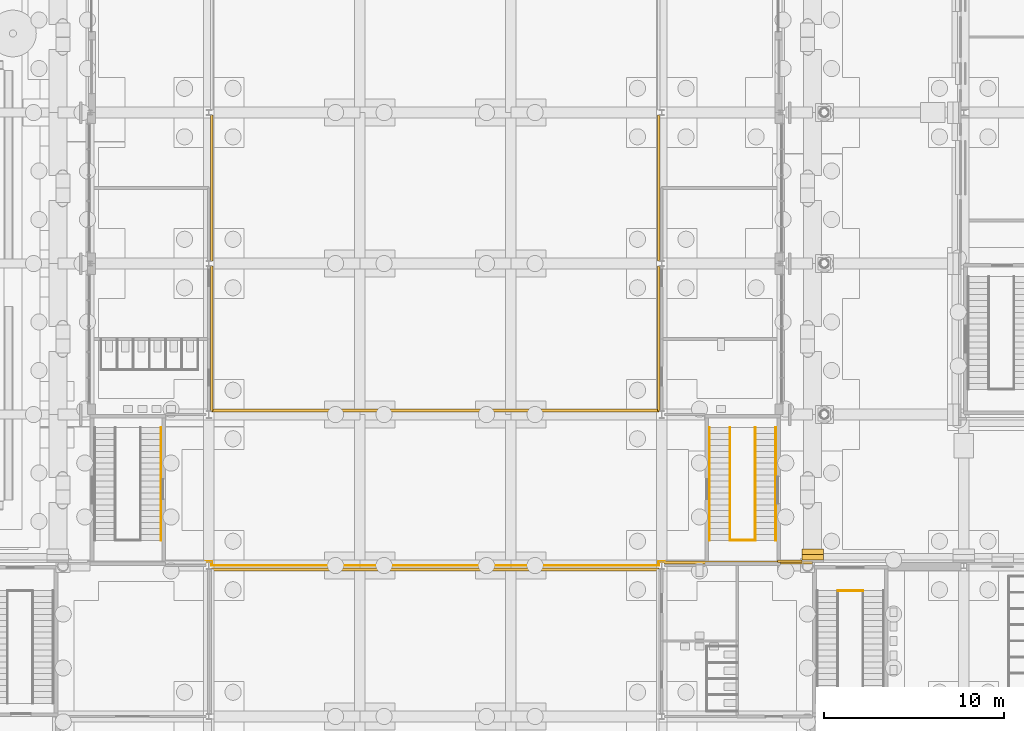
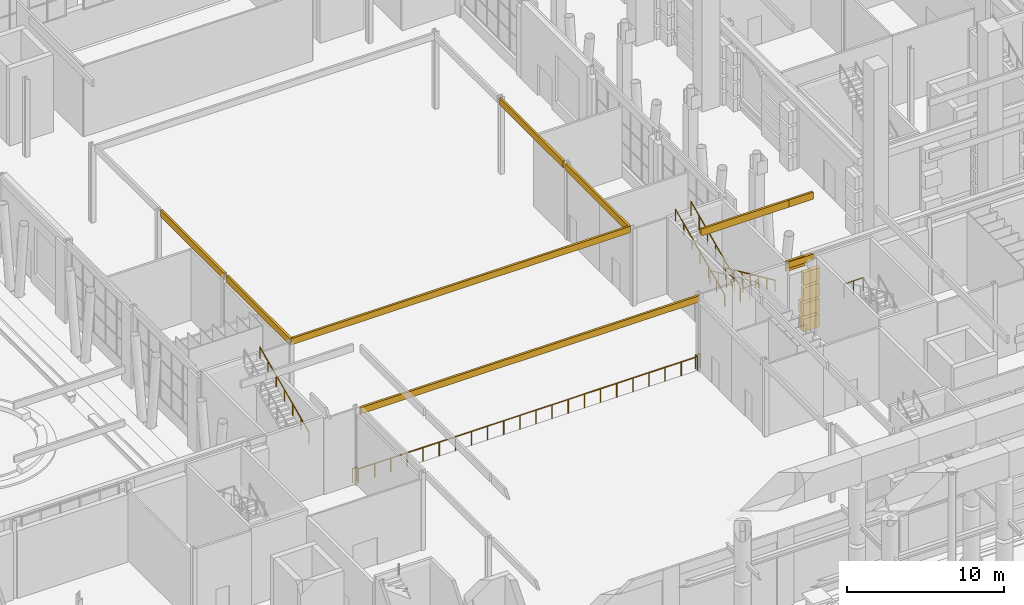
# One storey, part 145 of 222: 16 coverings, 8 railings.
"""IFC4 building model written with IfcOpenShell, lengths in metres."""

import ifcopenshell
import ifcopenshell.guid

model = None  # the IFC model being written
_history = None  # IfcOwnerHistory: only IFC2X3 demands one
_inside = {}  # id of a spatial element -> (the spatial element, [elements in it])
_under = {}  # id of a project, library or spatial element -> (it, [spatial elements below it])
_declared = {}  # id of a project -> (the project, [libraries it declares])
_typed = {}  # id of a type object -> (the type object, [elements of that type])
_made_of = {}  # id of a material, layer set ... -> (it, [elements and type objects made of it])


def new_model(schema):
    """Start an empty IFC model of exactly this schema.

    Asked for "IFC4X3", IfcOpenShell would pick the latest addendum, in which some entities
    have other attributes; the version numbers below select the first issue.
    IFC2X3 requires an IfcOwnerHistory on every rooted entity: one is made here for all.
    """
    global model, _history
    if schema == "IFC4X3":
        model = ifcopenshell.file(schema_version=(4, 3, 0, 0))
    else:
        model = ifcopenshell.file(schema=schema)
    _inside.clear()
    _under.clear()
    _declared.clear()
    _typed.clear()
    _made_of.clear()
    _history = None
    if model.schema == "IFC2X3":
        org = make("IfcOrganization", Name="unknown")
        user = make(
            "IfcPersonAndOrganization",
            ThePerson=make("IfcPerson", FamilyName="unknown"),
            TheOrganization=org,
        )
        app = make(
            "IfcApplication",
            ApplicationDeveloper=org,
            Version="unknown",
            ApplicationFullName="unknown",
            ApplicationIdentifier="unknown",
        )
        _history = make(
            "IfcOwnerHistory",
            OwningUser=user,
            OwningApplication=app,
            ChangeAction="ADDED",
            CreationDate=0,
        )
    return model


def make(cls, **values):
    """One entity of the class cls with the attributes given. An attribute that is None is left unset."""
    return model.create_entity(
        cls, **{name: value for name, value in values.items() if value is not None}
    )


def rooted(cls, **values):
    """An entity with a GlobalId (a new one), such as an element, a storey or a relation."""
    return make(cls, GlobalId=ifcopenshell.guid.new(), OwnerHistory=_history, **values)


def si_unit(unit_type, name, prefix=None):
    """IfcSIUnit, for example si_unit("LENGTHUNIT", "METRE", prefix="MILLI")."""
    return make("IfcSIUnit", UnitType=unit_type, Prefix=prefix, Name=name)


def assignment(units):
    """IfcUnitAssignment: the units of a project."""
    return None if units is None else make("IfcUnitAssignment", Units=units)


def point(xyz):
    """IfcCartesianPoint."""
    return None if xyz is None else make("IfcCartesianPoint", Coordinates=xyz)


def direction(xyz):
    """IfcDirection."""
    return None if xyz is None else make("IfcDirection", DirectionRatios=xyz)


def frame(location, z_axis=None, x_axis=None):
    """IfcAxis2Placement3D, a coordinate frame: its origin and axes. An axis left out is left unset."""
    return make(
        "IfcAxis2Placement3D",
        Location=point(location),
        Axis=direction(z_axis),
        RefDirection=direction(x_axis),
    )


def frame_2d(location, x_axis=None):
    """IfcAxis2Placement2D, a coordinate frame in the plane: its origin and x axis."""
    return make(
        "IfcAxis2Placement2D", Location=point(location), RefDirection=direction(x_axis)
    )


def origin():
    """The frame at (0, 0, 0) with its axes left unset."""
    return frame((0.0, 0.0, 0.0))


def origin_2d():
    """The frame at (0, 0) in the plane with its x axis left unset."""
    return frame_2d((0.0, 0.0))


def place(relative_to, where):
    """IfcLocalPlacement: puts the frame where relative to a parent placement (None: the world)."""
    return make(
        "IfcLocalPlacement", PlacementRelTo=relative_to, RelativePlacement=where
    )


def context(
    kind, dimensions, precision=None, world=None, true_north=None, identifier=None
):
    """IfcGeometricRepresentationContext, for example the 3D "Model" context."""
    return make(
        "IfcGeometricRepresentationContext",
        ContextIdentifier=identifier,
        ContextType=kind,
        CoordinateSpaceDimension=dimensions,
        Precision=precision,
        WorldCoordinateSystem=world,
        TrueNorth=true_north,
    )


def subcontext(parent, identifier, kind, view, scale=None):
    """IfcGeometricRepresentationSubContext, for example "Body" below "Model"."""
    return make(
        "IfcGeometricRepresentationSubContext",
        ContextIdentifier=identifier,
        ContextType=kind,
        ParentContext=parent,
        TargetScale=scale,
        TargetView=view,
    )


def project(units=None, contexts=None):
    """IfcProject with its units and contexts."""
    return rooted(
        "IfcProject",
        Name="project",
        RepresentationContexts=contexts,
        UnitsInContext=assignment(units),
    )


def spatial(cls, under=None, at=None, **own):
    """A site, building, storey or space (cls), placed at a placement, below another one or the project."""
    s = rooted(cls, ObjectPlacement=at, **own)
    if under is not None:
        _under.setdefault(under.id(), (under, []))[1].append(s)
    return s


def polyline(points):
    """IfcPolyline through the points."""
    return make("IfcPolyline", Points=[point(p) for p in points])


def profile(cls, at=None, kind="AREA", **sizes):
    """A parametric profile (cls). Its sizes go by their IFC names, for example OverallWidth=200.0."""
    return make(cls, ProfileType=kind, Position=at, **sizes)


def rectangle(**sizes):
    """IfcRectangleProfileDef."""
    return profile("IfcRectangleProfileDef", **sizes)


def circle(**sizes):
    """IfcCircleProfileDef."""
    return profile("IfcCircleProfileDef", **sizes)


def outline(outer, holes=None, kind="AREA"):
    """IfcArbitraryClosedProfileDef: a profile drawn as a closed curve; with holes, ...WithVoids."""
    if holes is None:
        return make("IfcArbitraryClosedProfileDef", ProfileType=kind, OuterCurve=outer)
    return make(
        "IfcArbitraryProfileDefWithVoids",
        ProfileType=kind,
        OuterCurve=outer,
        InnerCurves=holes,
    )


def extrude(swept, where, along, depth):
    """IfcExtrudedAreaSolid: the profile swept, set in the frame where, extruded along a direction by depth."""
    return make(
        "IfcExtrudedAreaSolid",
        SweptArea=swept,
        Position=where,
        ExtrudedDirection=direction(along),
        Depth=depth,
    )


def shape(context_of_items, identifier, shape_type, items):
    """IfcShapeRepresentation: the items that make up one representation, for example the "Body"."""
    return make(
        "IfcShapeRepresentation",
        ContextOfItems=context_of_items,
        RepresentationIdentifier=identifier,
        RepresentationType=shape_type,
        Items=items,
    )


def material(Name=None, Category=None):
    """IfcMaterial."""
    return make("IfcMaterial", Name=Name, Category=Category)


def layer(
    of_material, thickness, ventilated=None, Name=None, Category=None, Priority=None
):
    """IfcMaterialLayer: one layer of a wall or slab, of a material (None: an air gap)."""
    return make(
        "IfcMaterialLayer",
        Material=of_material,
        LayerThickness=thickness,
        IsVentilated=ventilated,
        Name=Name,
        Category=Category,
        Priority=Priority,
    )


def layer_set(layers, Name=None):
    """IfcMaterialLayerSet."""
    return make("IfcMaterialLayerSet", MaterialLayers=layers, LayerSetName=Name)


def made_of(thing, what):
    """Note that an element or type object is made of a material, layer set ...; save() writes the relation."""
    if what is not None:
        _made_of.setdefault(what.id(), (what, []))[1].append(thing)
    return thing


def type_object(cls, material=None, **own):
    """A type object (cls), such as IfcWallType, which elements share."""
    return made_of(rooted(cls, **own), material)


def element(
    cls,
    number,
    at=None,
    inside=None,
    cuts=None,
    type_object=None,
    material=None,
    context=None,
    identifier="Body",
    shape_type=None,
    held_by="IfcProductDefinitionShape",
    body=None,
    shapes=None,
    **own,
):
    """One element of the class cls, such as IfcWall. Its Tag is "e" and its number.

    at: its placement. inside: the storey or other place that contains it. cuts: it is an
    opening in that element (IfcRelVoidsElement). A single representation is given by context,
    identifier, shape_type and body (its items); several are given by shapes. held_by: the class
    of the entity that holds the representations. save() writes the other relations.
    """
    e = rooted(cls, Tag="e%d" % number, ObjectPlacement=at, **own)
    if body is not None:
        shapes = [shape(context, identifier, shape_type, body)]
    if shapes is not None:
        e.Representation = make(held_by, Representations=shapes)
    if inside is not None:
        _inside.setdefault(inside.id(), (inside, []))[1].append(e)
    if cuts is not None:
        rooted(
            "IfcRelVoidsElement", RelatingBuildingElement=cuts, RelatedOpeningElement=e
        )
    if type_object is not None:
        _typed.setdefault(type_object.id(), (type_object, []))[1].append(e)
    return made_of(e, material)


def aggregate(whole, parts):
    """IfcRelAggregates: a whole, such as a stair, and the parts it consists of."""
    return rooted("IfcRelAggregates", RelatingObject=whole, RelatedObjects=parts)


def save(model, path):
    """Write the relations noted so far, then the file.

    IfcRelAggregates (storeys below a building ...), IfcRelContainedInSpatialStructure (elements
    in a storey), IfcRelDefinesByType, IfcRelAssociatesMaterial and IfcRelDeclares: one each for
    every whole, place, type object, material and project.
    """
    for whole, parts in _under.values():
        aggregate(whole, parts)
    for where, things in _inside.values():
        rooted(
            "IfcRelContainedInSpatialStructure",
            RelatedElements=things,
            RelatingStructure=where,
        )
    for kind, things in _typed.values():
        rooted("IfcRelDefinesByType", RelatedObjects=things, RelatingType=kind)
    for what, things in _made_of.values():
        rooted("IfcRelAssociatesMaterial", RelatedObjects=things, RelatingMaterial=what)
    for by, libraries in _declared.values():
        rooted("IfcRelDeclares", RelatingContext=by, RelatedDefinitions=libraries)
    model.write(path)


model = new_model("IFC4")

# Units and contexts
model_context = context("Model", 3, precision=1e-05, world=origin(), true_north=direction((0.0, 1.0)))
body_context = subcontext(model_context, "Body", "Model", "MODEL_VIEW")
ifc_project = project(units=[si_unit("LENGTHUNIT", "METRE"), si_unit("AREAUNIT", "SQUARE_METRE"), si_unit("VOLUMEUNIT", "CUBIC_METRE"), si_unit("PLANEANGLEUNIT", "RADIAN"), si_unit("MASSUNIT", "GRAM", prefix="KILO")], contexts=[model_context])

# Site, building, storey
site_placement = place(None, origin())
site = spatial("IfcSite", under=ifc_project, at=site_placement, CompositionType="ELEMENT")
building_placement = place(site_placement, origin())
building = spatial("IfcBuilding", under=site, at=building_placement, Name="Sava Quay Ferry Terminal", CompositionType="ELEMENT")
storey_placement = place(building_placement, origin())
storey = spatial("IfcBuildingStorey", under=building, at=storey_placement, Name="L00", CompositionType="ELEMENT", Elevation=0.0)

# Railings
ifc_material_1 = material(Name="Steel S355", Category="steel")
railing_type_1 = type_object("IfcRailingType", Name="Guard 1100", PredefinedType="GUARDRAIL", material=ifc_material_1)
railing_1_placement = place(storey_placement, frame((80.800048828125, 58.070068359375, 0.14990234375)))
element("IfcRailing", 1, at=railing_1_placement, inside=storey, type_object=railing_type_1, Name="Guard at stair well ST-D2 L00", PredefinedType="GUARDRAIL", context=body_context, shape_type="SweptSolid", body=[
    extrude(circle(Radius=0.02392578125, at=origin_2d()), frame((0.0, 0.0, 1.076171875), z_axis=(0.0, -0.910361621584, 0.413813627068), x_axis=(1.0, 0.0, 0.0)), (0.0, 0.0, 1.0), 6.887451171875),
    extrude(circle(Radius=0.02099609375, at=origin_2d()), origin(), (0.0, 0.0, 1.0), 1.052001953125),
    extrude(circle(Radius=0.02099609375, at=origin_2d()), frame((0.0, -1.044921875, 0.47509765625)), (0.0, 0.0, 1.0), 1.052001953125),
    extrude(circle(Radius=0.02099609375, at=origin_2d()), frame((0.0, -2.090087890625, 0.949951171875)), (0.0, 0.0, 1.0), 1.052001953125),
    extrude(circle(Radius=0.02099609375, at=origin_2d()), frame((0.0, -3.135009765625, 1.425048828125)), (0.0, 0.0, 1.0), 1.052001953125),
    extrude(circle(Radius=0.02099609375, at=origin_2d()), frame((0.0, -4.179931640625, 1.900146484375)), (0.0, 0.0, 1.0), 1.052001953125),
    extrude(circle(Radius=0.02099609375, at=origin_2d()), frame((0.0, -5.22509765625, 2.375)), (0.0, 0.0, 1.0), 1.052001953125),
    extrude(circle(Radius=0.02099609375, at=origin_2d()), frame((0.0, -6.27001953125, 2.85009765625)), (0.0, 0.0, 1.0), 1.052001953125),
])
railing_2_placement = place(storey_placement, frame((79.39990234375, 51.800048828125, 3.14990234375)))
element("IfcRailing", 2, at=railing_2_placement, inside=storey, type_object=railing_type_1, Name="Guard at stair well ST-D2 L00", PredefinedType="GUARDRAIL", context=body_context, shape_type="SweptSolid", body=[
    extrude(circle(Radius=0.02392578125, at=origin_2d()), frame((0.0, 0.0, 1.076171875), z_axis=(0.0, 0.910361621584, 0.413813627068), x_axis=(-1.0, 0.0, 0.0)), (0.0, 0.0, 1.0), 6.887451171875),
    extrude(circle(Radius=0.02099609375, at=origin_2d()), origin(), (0.0, 0.0, 1.0), 1.052001953125),
    extrude(circle(Radius=0.02099609375, at=origin_2d()), frame((0.0, 1.044921875, 0.47509765625)), (0.0, 0.0, 1.0), 1.052001953125),
    extrude(circle(Radius=0.02099609375, at=origin_2d()), frame((0.0, 2.090087890625, 0.949951171875)), (0.0, 0.0, 1.0), 1.052001953125),
    extrude(circle(Radius=0.02099609375, at=origin_2d()), frame((0.0, 3.135009765625, 1.425048828125)), (0.0, 0.0, 1.0), 1.052001953125),
    extrude(circle(Radius=0.02099609375, at=origin_2d()), frame((0.0, 4.179931640625, 1.900146484375)), (0.0, 0.0, 1.0), 1.052001953125),
    extrude(circle(Radius=0.02099609375, at=origin_2d()), frame((0.0, 5.22509765625, 2.375)), (0.0, 0.0, 1.0), 1.052001953125),
    extrude(circle(Radius=0.02099609375, at=origin_2d()), frame((0.0, 6.27001953125, 2.85009765625)), (0.0, 0.0, 1.0), 1.052001953125),
])
for number, where, name in (
    (3, (79.39990234375, 51.800048828125, 3.0), "Guard at half landing ST-D2 L00"),
    (4, (85.39990234375, 49.0, 3.0), "Guard at half landing ST-P1 L00"),
):
    element("IfcRailing", number, at=place(storey_placement, frame(where)), inside=storey, type_object=railing_type_1, Name=name, PredefinedType="GUARDRAIL", context=body_context, shape_type="SweptSolid", body=[
        extrude(circle(Radius=0.02392578125, at=origin_2d()), frame((0.0, 0.0, 1.076171875), z_axis=(1.0, 0.0, 0.0), x_axis=(0.0, 1.0, 0.0)), (0.0, 0.0, 1.0), 1.400146484375),
        extrude(circle(Radius=0.02099609375, at=origin_2d()), origin(), (0.0, 0.0, 1.0), 1.052001953125),
        extrude(circle(Radius=0.02099609375, at=origin_2d()), frame((0.7001953125, 0.0, 0.0)), (0.0, 0.0, 1.0), 1.052001953125),
        extrude(circle(Radius=0.02099609375, at=origin_2d()), frame((1.400146484375, 0.0, 0.0)), (0.0, 0.0, 1.0), 1.052001953125),
    ])
railing_3_placement = place(storey_placement, frame((75.760009765625, 50.610107421875, 0.0)))
element("IfcRailing", 5, at=railing_3_placement, inside=storey, type_object=railing_type_1, Name="Mezzanine guard", PredefinedType="GUARDRAIL", context=body_context, shape_type="SweptSolid", body=[
    extrude(circle(Radius=0.02392578125, at=origin_2d()), frame((0.0, 0.0, 1.076171875), z_axis=(-1.0, 0.0, 0.0), x_axis=(0.0, -1.0, 0.0)), (0.0, 0.0, 1.0), 0.320068359375),
    extrude(circle(Radius=0.02392578125, at=origin_2d()), frame((-0.320068359375, 0.0, 1.076171875), z_axis=(0.0, -1.0, 0.0), x_axis=(1.0, 0.0, 0.0)), (0.0, 0.0, 1.0), 0.210205078125),
    extrude(circle(Radius=0.02392578125, at=origin_2d()), frame((-0.320068359375, -0.210205078125, 1.076171875), z_axis=(-1.0, 0.0, 0.0), x_axis=(0.0, -1.0, 0.0)), (0.0, 0.0, 1.0), 24.8798828125),
    extrude(circle(Radius=0.02392578125, at=origin_2d()), frame((-25.199951171875, -0.210205078125, 1.076171875), z_axis=(0.0, 1.0, 0.0), x_axis=(-1.0, 0.0, 0.0)), (0.0, 0.0, 1.0), 0.210205078125),
    extrude(circle(Radius=0.02392578125, at=origin_2d()), frame((-25.199951171875, 0.0, 1.076171875), z_axis=(-1.0, 0.0, 0.0), x_axis=(0.0, -1.0, 0.0)), (0.0, 0.0, 1.0), 0.320068359375),
    extrude(circle(Radius=0.02099609375, at=origin_2d()), origin(), (0.0, 0.0, 1.0), 1.052001953125),
    extrude(circle(Radius=0.02099609375, at=origin_2d()), frame((-0.320068359375, 0.0, 0.0)), (0.0, 0.0, 1.0), 1.052001953125),
    extrude(circle(Radius=0.02099609375, at=origin_2d()), frame((-0.320068359375, -0.210205078125, 0.0)), (0.0, 0.0, 1.0), 1.052001953125),
    extrude(circle(Radius=0.02099609375, at=origin_2d()), frame((-1.5048828125, -0.210205078125, 0.0)), (0.0, 0.0, 1.0), 1.052001953125),
    extrude(circle(Radius=0.02099609375, at=origin_2d()), frame((-2.689697265625, -0.210205078125, 0.0)), (0.0, 0.0, 1.0), 1.052001953125),
    extrude(circle(Radius=0.02099609375, at=origin_2d()), frame((-3.874267578125, -0.210205078125, 0.0)), (0.0, 0.0, 1.0), 1.052001953125),
    extrude(circle(Radius=0.02099609375, at=origin_2d()), frame((-5.05908203125, -0.210205078125, 0.0)), (0.0, 0.0, 1.0), 1.052001953125),
    extrude(circle(Radius=0.02099609375, at=origin_2d()), frame((-6.243896484375, -0.210205078125, 0.0)), (0.0, 0.0, 1.0), 1.052001953125),
    extrude(circle(Radius=0.02099609375, at=origin_2d()), frame((-7.4287109375, -0.210205078125, 0.0)), (0.0, 0.0, 1.0), 1.052001953125),
    extrude(circle(Radius=0.02099609375, at=origin_2d()), frame((-8.61328125, -0.210205078125, 0.0)), (0.0, 0.0, 1.0), 1.052001953125),
    extrude(circle(Radius=0.02099609375, at=origin_2d()), frame((-9.798095703125, -0.210205078125, 0.0)), (0.0, 0.0, 1.0), 1.052001953125),
    extrude(circle(Radius=0.02099609375, at=origin_2d()), frame((-10.98291015625, -0.210205078125, 0.0)), (0.0, 0.0, 1.0), 1.052001953125),
    extrude(circle(Radius=0.02099609375, at=origin_2d()), frame((-12.167724609375, -0.210205078125, 0.0)), (0.0, 0.0, 1.0), 1.052001953125),
    extrude(circle(Radius=0.02099609375, at=origin_2d()), frame((-13.352294921875, -0.210205078125, 0.0)), (0.0, 0.0, 1.0), 1.052001953125),
    extrude(circle(Radius=0.02099609375, at=origin_2d()), frame((-14.537109375, -0.210205078125, 0.0)), (0.0, 0.0, 1.0), 1.052001953125),
    extrude(circle(Radius=0.02099609375, at=origin_2d()), frame((-15.721923828125, -0.210205078125, 0.0)), (0.0, 0.0, 1.0), 1.052001953125),
    extrude(circle(Radius=0.02099609375, at=origin_2d()), frame((-16.90673828125, -0.210205078125, 0.0)), (0.0, 0.0, 1.0), 1.052001953125),
    extrude(circle(Radius=0.02099609375, at=origin_2d()), frame((-18.09130859375, -0.210205078125, 0.0)), (0.0, 0.0, 1.0), 1.052001953125),
    extrude(circle(Radius=0.02099609375, at=origin_2d()), frame((-19.276123046875, -0.210205078125, 0.0)), (0.0, 0.0, 1.0), 1.052001953125),
    extrude(circle(Radius=0.02099609375, at=origin_2d()), frame((-20.4609375, -0.210205078125, 0.0)), (0.0, 0.0, 1.0), 1.052001953125),
    extrude(circle(Radius=0.02099609375, at=origin_2d()), frame((-21.645751953125, -0.210205078125, 0.0)), (0.0, 0.0, 1.0), 1.052001953125),
    extrude(circle(Radius=0.02099609375, at=origin_2d()), frame((-22.830322265625, -0.210205078125, 0.0)), (0.0, 0.0, 1.0), 1.052001953125),
    extrude(circle(Radius=0.02099609375, at=origin_2d()), frame((-24.01513671875, -0.210205078125, 0.0)), (0.0, 0.0, 1.0), 1.052001953125),
    extrude(circle(Radius=0.02099609375, at=origin_2d()), frame((-25.199951171875, -0.210205078125, 0.0)), (0.0, 0.0, 1.0), 1.052001953125),
    extrude(circle(Radius=0.02099609375, at=origin_2d()), frame((-25.199951171875, 0.0, 0.0)), (0.0, 0.0, 1.0), 1.052001953125),
    extrude(circle(Radius=0.02099609375, at=origin_2d()), frame((-25.52001953125, 0.0, 0.0)), (0.0, 0.0, 1.0), 1.052001953125),
])

# Coverings
ifc_material_2 = material(Name="Limestone Mutalj", Category="masonry")
ifc_layer_1 = layer(ifc_material_2, 0.14990234375)
ifc_layer_set_1 = layer_set([ifc_layer_1], Name="Limestone Mutalj")
covering_type_1 = type_object("IfcCoveringType", Name="Limestone string course 150", PredefinedType="CLADDING", material=ifc_layer_set_1)
covering_1_placement = place(storey_placement, frame((0.0, 0.0, 5.25)))
element("IfcCovering", 6, at=covering_1_placement, inside=storey, type_object=covering_type_1, Name="String course P-N", PredefinedType="CLADDING", context=body_context, shape_type="SweptSolid", body=[
    extrude(outline(polyline([(82.050048828125, 50.56005859375), (83.39990234375, 50.56005859375), (83.39990234375, 50.7099609375), (82.050048828125, 50.7099609375), (82.050048828125, 50.56005859375)])), origin(), (0.0, 0.0, 1.0), 0.75),
])
ifc_material_3 = material(Name="Limestone Mutalj", Category="masonry")
ifc_layer_2 = layer(ifc_material_3, 0.300048828125)
ifc_layer_set_2 = layer_set([ifc_layer_2], Name="Limestone Mutalj")
covering_type_2 = type_object("IfcCoveringType", Name="Rusticated course deepening 300", PredefinedType="CLADDING", material=ifc_layer_set_2)
for number, where, z_axis, x_axis, name in (
    (7, (84.0, 51.159912109375, 0.0), (0.0, 0.0, 1.0), (1.0, 0.0, 0.0), "Rusticated course deepening"),
    (8, (84.0, 51.159912109375, 1.199951171875), (0.0, 0.0, 1.0), (1.0, 0.0, 0.0), "Rusticated course deepening"),
):
    element("IfcCovering", number, at=place(storey_placement, frame(where, z_axis=z_axis, x_axis=x_axis)), inside=storey, type_object=covering_type_2, Name=name, PredefinedType="CLADDING", context=body_context, shape_type="SweptSolid", body=[
        extrude(rectangle(XDim=1.199951171875, YDim=0.300048828125, at=origin_2d()), origin(), (0.0, 0.0, 1.0), 1.0),
    ])
ifc_material_4 = material(Name="Limestone Mutalj", Category="masonry")
ifc_layer_3 = layer(ifc_material_4, 0.300048828125)
ifc_layer_set_3 = layer_set([ifc_layer_3], Name="Limestone Mutalj")
covering_type_3 = type_object("IfcCoveringType", Name="Rusticated pier course 300", PredefinedType="CLADDING", material=ifc_layer_set_3)
for number, where, z_axis, x_axis, name in (
    (9, (84.0, 50.860107421875, 0.0), (0.0, 0.0, 1.0), (1.0, 0.0, 0.0), "Rusticated pier course"),
    (10, (84.0, 50.860107421875, 1.199951171875), (0.0, 0.0, 1.0), (1.0, 0.0, 0.0), "Rusticated pier course"),
    (11, (84.0, 50.860107421875, 2.39990234375), (0.0, 0.0, 1.0), (1.0, 0.0, 0.0), "Rusticated pier course"),
    (12, (84.0, 50.860107421875, 3.60009765625), (0.0, 0.0, 1.0), (1.0, 0.0, 0.0), "Rusticated pier course"),
):
    element("IfcCovering", number, at=place(storey_placement, frame(where, z_axis=z_axis, x_axis=x_axis)), inside=storey, type_object=covering_type_3, Name=name, PredefinedType="CLADDING", context=body_context, shape_type="SweptSolid", body=[
        extrude(rectangle(XDim=1.199951171875, YDim=0.300048828125, at=origin_2d()), origin(), (0.0, 0.0, 1.0), 1.0),
    ])
ifc_material_5 = material(Name="Limestone Mutalj", Category="masonry")
ifc_layer_4 = layer(ifc_material_5, 0.14990234375)
ifc_layer_set_4 = layer_set([ifc_layer_4], Name="Limestone Mutalj")
covering_type_4 = type_object("IfcCoveringType", Name="Slab edge fascia 150", PredefinedType="CLADDING", material=ifc_layer_set_4)
covering_2_placement = place(storey_placement, frame((0.0, 0.0, 5.510009765625)))
element("IfcCovering", 13, at=covering_2_placement, inside=storey, type_object=covering_type_4, Name="Slab edge fascia", PredefinedType="CLADDING", context=body_context, shape_type="SweptSolid", body=[
    extrude(outline(polyline([(82.199951171875, 50.48291015625), (84.0, 50.48291015625), (84.0, 50.633056640625), (82.320068359375, 50.633056640625), (82.320068359375, 50.60009765625), (82.199951171875, 50.60009765625), (82.199951171875, 50.48291015625)])), origin(), (0.0, 0.0, 1.0), 0.489990234375),
])
covering_3_placement = place(storey_placement, frame((0.0, 0.0, 5.469970703125)))
element("IfcCovering", 14, at=covering_3_placement, inside=storey, type_object=covering_type_4, Name="Slab edge fascia", PredefinedType="CLADDING", context=body_context, shape_type="SweptSolid", body=[
    extrude(outline(polyline([(50.488037109375, 67.054931640625), (50.488037109375, 59.0), (50.637939453125, 59.0), (50.637939453125, 67.054931640625), (50.488037109375, 67.054931640625)])), origin(), (0.0, 0.0, 1.0), 0.530029296875),
])
covering_4_placement = place(storey_placement, frame((0.0, 0.0, 5.469970703125)))
element("IfcCovering", 15, at=covering_4_placement, inside=storey, type_object=covering_type_4, Name="Slab edge fascia", PredefinedType="CLADDING", context=body_context, shape_type="SweptSolid", body=[
    extrude(outline(polyline([(50.488037109375, 75.455078125), (50.488037109375, 67.344970703125), (50.637939453125, 67.344970703125), (50.637939453125, 75.455078125), (50.488037109375, 75.455078125)])), origin(), (0.0, 0.0, 1.0), 0.530029296875),
])
covering_5_placement = place(storey_placement, frame((0.0, 0.0, 5.469970703125)))
element("IfcCovering", 16, at=covering_5_placement, inside=storey, type_object=covering_type_4, Name="Slab edge fascia", PredefinedType="CLADDING", context=body_context, shape_type="SweptSolid", body=[
    extrude(outline(polyline([(75.362060546875, 59.0), (75.511962890625, 59.0), (75.511962890625, 67.054931640625), (75.362060546875, 67.054931640625), (75.362060546875, 59.0)])), origin(), (0.0, 0.0, 1.0), 0.530029296875),
])
covering_6_placement = place(storey_placement, frame((0.0, 0.0, 5.469970703125)))
element("IfcCovering", 17, at=covering_6_placement, inside=storey, type_object=covering_type_4, Name="Slab edge fascia", PredefinedType="CLADDING", context=body_context, shape_type="SweptSolid", body=[
    extrude(outline(polyline([(75.362060546875, 67.344970703125), (75.511962890625, 67.344970703125), (75.511962890625, 75.455078125), (75.362060546875, 75.455078125), (75.362060546875, 67.344970703125)])), origin(), (0.0, 0.0, 1.0), 0.530029296875),
])
covering_7_placement = place(storey_placement, frame((0.0, 0.0, 5.510009765625)))
element("IfcCovering", 18, at=covering_7_placement, inside=storey, type_object=covering_type_4, Name="Slab edge fascia", PredefinedType="CLADDING", context=body_context, shape_type="SweptSolid", body=[
    extrude(outline(polyline([(75.449951171875, 50.251953125), (50.550048828125, 50.251953125), (50.550048828125, 50.10205078125), (75.449951171875, 50.10205078125), (75.449951171875, 50.251953125)])), origin(), (0.0, 0.0, 1.0), 0.489990234375),
])
covering_8_placement = place(storey_placement, frame((0.0, 0.0, 5.510009765625)))
element("IfcCovering", 19, at=covering_8_placement, inside=storey, type_object=covering_type_4, Name="Slab edge fascia", PredefinedType="CLADDING", context=body_context, shape_type="SweptSolid", body=[
    extrude(outline(polyline([(50.550048828125, 59.097900390625), (50.550048828125, 58.947998046875), (75.449951171875, 58.947998046875), (75.449951171875, 59.097900390625), (50.550048828125, 59.097900390625)])), origin(), (0.0, 0.0, 1.0), 0.489990234375),
])
covering_9_placement = place(storey_placement, frame((0.0, 0.0, 10.25)))
element("IfcCovering", 20, at=covering_9_placement, inside=storey, type_object=covering_type_4, Name="Slab edge fascia", PredefinedType="CLADDING", context=body_context, shape_type="SweptSolid", body=[
    extrude(outline(polyline([(75.75, 50.637939453125), (75.75, 50.488037109375), (82.199951171875, 50.488037109375), (82.199951171875, 50.637939453125), (75.75, 50.637939453125)])), origin(), (0.0, 0.0, 1.0), 0.550048828125),
])
covering_10_placement = place(storey_placement, frame((0.0, 0.0, 10.25)))
element("IfcCovering", 21, at=covering_10_placement, inside=storey, type_object=covering_type_4, Name="Slab edge fascia", PredefinedType="CLADDING", context=body_context, shape_type="SweptSolid", body=[
    extrude(outline(polyline([(82.199951171875, 50.488037109375), (84.0, 50.488037109375), (84.0, 50.637939453125), (82.199951171875, 50.637939453125), (82.199951171875, 50.488037109375)])), origin(), (0.0, 0.0, 1.0), 0.550048828125),
])

# Railings
ifc_material_6 = material(Name="Steel S355", Category="steel")
railing_type_2 = type_object("IfcRailingType", Name="Stair handrail 900", PredefinedType="HANDRAIL", material=ifc_material_6)
railing_4_placement = place(storey_placement, frame((47.739990234375, 51.800048828125, 3.14990234375)))
element("IfcRailing", 22, at=railing_4_placement, inside=storey, type_object=railing_type_2, Name="Handrail ST-D1 L00", PredefinedType="HANDRAIL", context=body_context, shape_type="SweptSolid", body=[
    extrude(circle(Radius=0.02392578125, at=origin_2d()), frame((0.0, 0.0, 0.8759765625), z_axis=(0.0, 0.910361621584, 0.413813627068), x_axis=(-1.0, 0.0, 0.0)), (0.0, 0.0, 1.0), 6.887451171875),
    extrude(circle(Radius=0.02099609375, at=origin_2d()), origin(), (0.0, 0.0, 1.0), 0.851806640625),
    extrude(circle(Radius=0.02099609375, at=origin_2d()), frame((0.0, 1.044921875, 0.47509765625)), (0.0, 0.0, 1.0), 0.851806640625),
    extrude(circle(Radius=0.02099609375, at=origin_2d()), frame((0.0, 2.090087890625, 0.949951171875)), (0.0, 0.0, 1.0), 0.851806640625),
    extrude(circle(Radius=0.02099609375, at=origin_2d()), frame((0.0, 3.135009765625, 1.425048828125)), (0.0, 0.0, 1.0), 0.851806640625),
    extrude(circle(Radius=0.02099609375, at=origin_2d()), frame((0.0, 4.179931640625, 1.900146484375)), (0.0, 0.0, 1.0), 0.851806640625),
    extrude(circle(Radius=0.02099609375, at=origin_2d()), frame((0.0, 5.22509765625, 2.375)), (0.0, 0.0, 1.0), 0.851806640625),
    extrude(circle(Radius=0.02099609375, at=origin_2d()), frame((0.0, 6.27001953125, 2.85009765625)), (0.0, 0.0, 1.0), 0.851806640625),
])
railing_5_placement = place(storey_placement, frame((81.93994140625, 58.070068359375, 0.14990234375)))
element("IfcRailing", 23, at=railing_5_placement, inside=storey, type_object=railing_type_2, Name="Handrail ST-D2 L00", PredefinedType="HANDRAIL", context=body_context, shape_type="SweptSolid", body=[
    extrude(circle(Radius=0.02392578125, at=origin_2d()), frame((0.0, 0.0, 0.8759765625), z_axis=(0.0, -0.910361621584, 0.413813627068), x_axis=(1.0, 0.0, 0.0)), (0.0, 0.0, 1.0), 6.887451171875),
    extrude(circle(Radius=0.02099609375, at=origin_2d()), origin(), (0.0, 0.0, 1.0), 0.851806640625),
    extrude(circle(Radius=0.02099609375, at=origin_2d()), frame((0.0, -1.044921875, 0.47509765625)), (0.0, 0.0, 1.0), 0.851806640625),
    extrude(circle(Radius=0.02099609375, at=origin_2d()), frame((0.0, -2.090087890625, 0.949951171875)), (0.0, 0.0, 1.0), 0.851806640625),
    extrude(circle(Radius=0.02099609375, at=origin_2d()), frame((0.0, -3.135009765625, 1.425048828125)), (0.0, 0.0, 1.0), 0.851806640625),
    extrude(circle(Radius=0.02099609375, at=origin_2d()), frame((0.0, -4.179931640625, 1.900146484375)), (0.0, 0.0, 1.0), 0.851806640625),
    extrude(circle(Radius=0.02099609375, at=origin_2d()), frame((0.0, -5.22509765625, 2.375)), (0.0, 0.0, 1.0), 0.851806640625),
    extrude(circle(Radius=0.02099609375, at=origin_2d()), frame((0.0, -6.27001953125, 2.85009765625)), (0.0, 0.0, 1.0), 0.851806640625),
])
railing_6_placement = place(storey_placement, frame((78.260009765625, 51.800048828125, 3.14990234375)))
element("IfcRailing", 24, at=railing_6_placement, inside=storey, type_object=railing_type_2, Name="Handrail ST-D2 L00", PredefinedType="HANDRAIL", context=body_context, shape_type="SweptSolid", body=[
    extrude(circle(Radius=0.02392578125, at=origin_2d()), frame((0.0, 0.0, 0.8759765625), z_axis=(0.0, 0.910361621584, 0.413813627068), x_axis=(-1.0, 0.0, 0.0)), (0.0, 0.0, 1.0), 6.887451171875),
    extrude(circle(Radius=0.02099609375, at=origin_2d()), origin(), (0.0, 0.0, 1.0), 0.851806640625),
    extrude(circle(Radius=0.02099609375, at=origin_2d()), frame((0.0, 1.044921875, 0.47509765625)), (0.0, 0.0, 1.0), 0.851806640625),
    extrude(circle(Radius=0.02099609375, at=origin_2d()), frame((0.0, 2.090087890625, 0.949951171875)), (0.0, 0.0, 1.0), 0.851806640625),
    extrude(circle(Radius=0.02099609375, at=origin_2d()), frame((0.0, 3.135009765625, 1.425048828125)), (0.0, 0.0, 1.0), 0.851806640625),
    extrude(circle(Radius=0.02099609375, at=origin_2d()), frame((0.0, 4.179931640625, 1.900146484375)), (0.0, 0.0, 1.0), 0.851806640625),
    extrude(circle(Radius=0.02099609375, at=origin_2d()), frame((0.0, 5.22509765625, 2.375)), (0.0, 0.0, 1.0), 0.851806640625),
    extrude(circle(Radius=0.02099609375, at=origin_2d()), frame((0.0, 6.27001953125, 2.85009765625)), (0.0, 0.0, 1.0), 0.851806640625),
])

save(model, "model.ifc")
